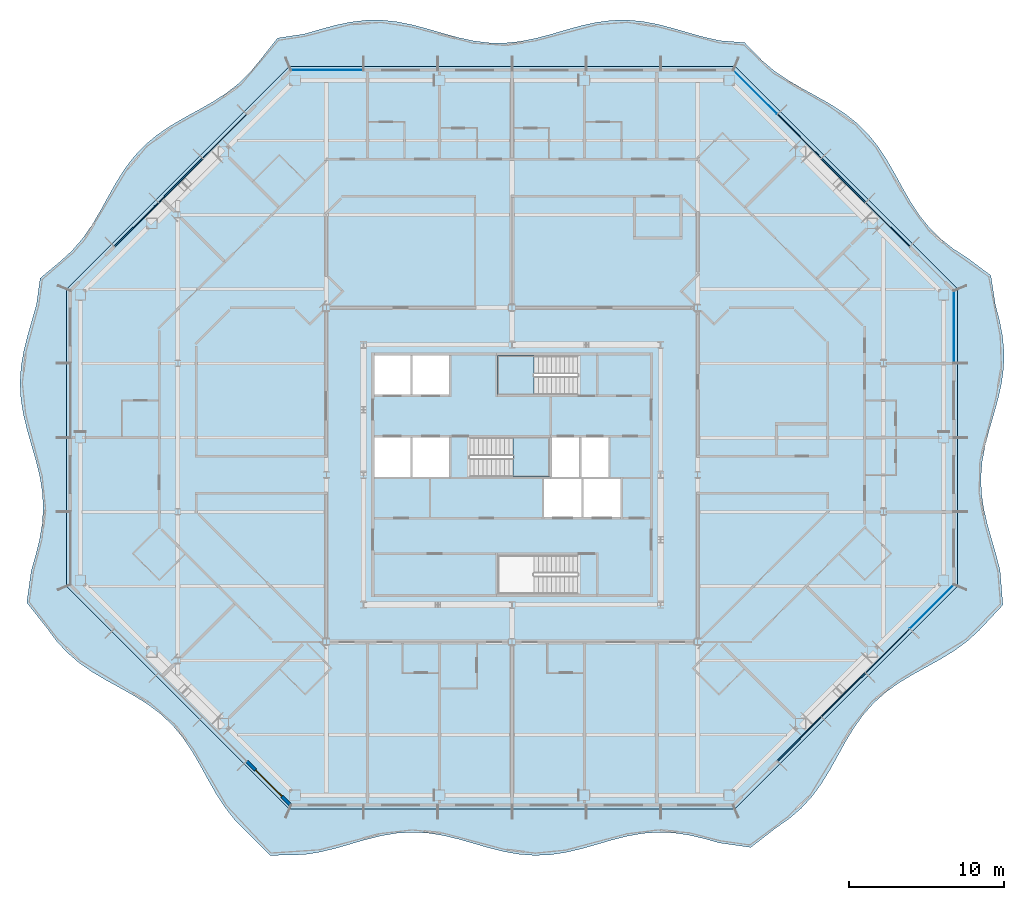
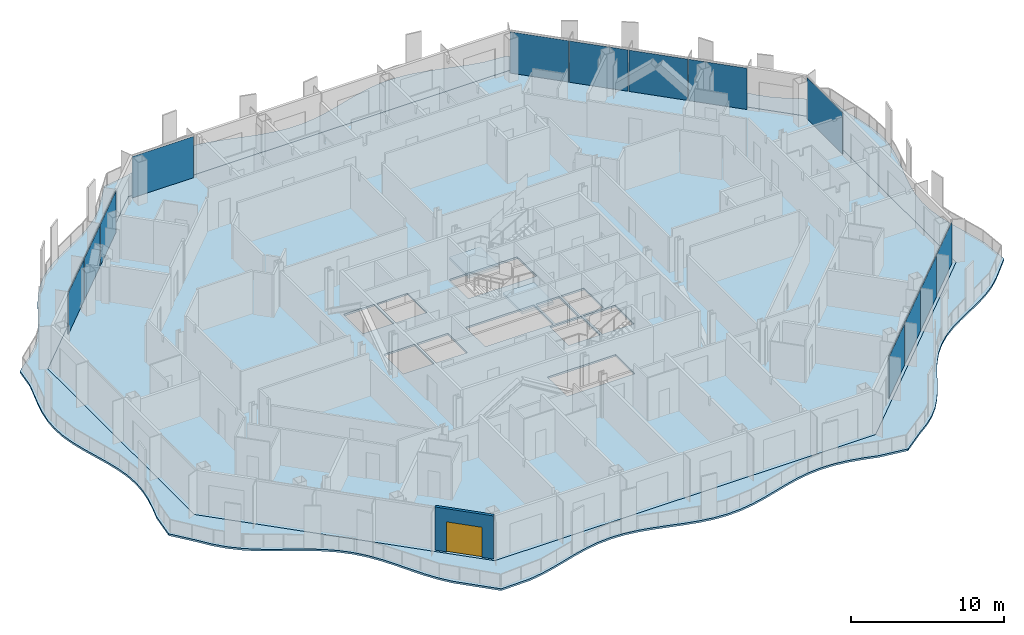
# One storey, part 6 of 21: 13 plates, 4 slabs, 1 door, 1 wall, 1 opening, 7 elements without a shape of their own.
"""IFC4 building model written with IfcOpenShell, lengths in metres."""

from ifc_helpers import new_model, si_unit, direction, frame, frame_2d, origin, origin_2d, place, context, subcontext, project, spatial, polyline, rectangle, outline, extrude, material, layer, layer_set, type_object, element, fill, aggregate, save


model = new_model("IFC4")

# Units and contexts
model_context = context("Model", 3, precision=1e-05, world=origin(), true_north=direction((0.0, 1.0)))
body_context = subcontext(model_context, "Body", "Model", "MODEL_VIEW")
ifc_project = project(units=[si_unit("LENGTHUNIT", "METRE"), si_unit("AREAUNIT", "SQUARE_METRE"), si_unit("VOLUMEUNIT", "CUBIC_METRE"), si_unit("PLANEANGLEUNIT", "RADIAN"), si_unit("MASSUNIT", "GRAM", prefix="KILO")], contexts=[model_context])

# Site, building, storey
site_placement = place(None, origin())
site = spatial("IfcSite", under=ifc_project, at=site_placement, CompositionType="ELEMENT")
building_placement = place(site_placement, origin())
building = spatial("IfcBuilding", under=site, at=building_placement, Name="Cairn Pilgrim Tower", CompositionType="ELEMENT")
storey_placement = place(building_placement, frame((0.0, 0.0, 139.800048828125)))
storey = spatial("IfcBuildingStorey", under=building, at=storey_placement, Name="L34", CompositionType="ELEMENT", Elevation=139.800048828125)

# Slabs
ifc_material_1 = material(Name="Concrete C35/45", Category="concrete")
ifc_layer_1 = layer(ifc_material_1, 0.14990234375)
ifc_layer_set_1 = layer_set([ifc_layer_1], Name="BALCONY SLAB 150 CONCRETE C35/45")
slab_type_1 = type_object("IfcSlabType", Name="BALCONY SLAB 150 CONCRETE C35/45", PredefinedType="FLOOR", material=ifc_layer_set_1)
slab_1_placement = place(storey_placement, frame((0.0, 0.0, -0.150146484375)))
element("IfcSlab", 1, at=slab_1_placement, inside=storey, type_object=slab_type_1, Name="Balcony slab BS-1", PredefinedType="FLOOR", context=body_context, shape_type="SweptSolid", body=[
    extrude(outline(polyline([(-10.033447265625, -20.593505859375), (-8.442626953125, -22.199951171875), (-6.206787109375, -22.143798828125), (-5.2138671875, -21.983154296875), (-4.220703125, -21.74267578125), (-3.2275390625, -21.4580078125), (-2.234375, -21.17236328125), (-1.241455078125, -20.928466796875), (-0.248291015625, -20.7626953125), (0.744873046875, -20.7001953125), (1.738037109375, -20.750244140625), (2.73095703125, -20.905517578125), (3.72412109375, -21.142578125), (4.71728515625, -21.425537109375), (5.71044921875, -21.71240234375), (6.703369140625, -21.9599609375), (7.696533203125, -22.130615234375), (8.689697265625, -22.19921875), (9.682861328125, -22.1552734375), (10.67578125, -22.005615234375), (11.6689453125, -21.772216796875), (12.662109375, -21.49072265625), (13.6552734375, -21.202880859375), (14.648193359375, -20.9521484375), (15.641357421875, -20.7763671875), (16.634521484375, -20.70166015625), (17.627685546875, -20.7392578125), (18.62060546875, -20.8837890625), (19.61376953125, -21.113037109375), (20.60693359375, -21.39306640625), (22.6279296875, -21.681884765625), (24.25830078125, -20.418212890625), (25.10693359375, -19.826904296875), (25.88037109375, -19.160400390625), (26.570556640625, -18.410400390625), (27.181640625, -17.581787109375), (27.731201171875, -16.691162109375), (28.24609375, -15.76611328125), (28.758544921875, -14.838623046875), (29.30126953125, -13.94140625), (29.90234375, -13.1025390625), (30.58056640625, -12.340576171875), (31.342529296875, -11.66259765625), (32.181396484375, -11.0615234375), (33.07861328125, -10.518798828125), (34.00634765625, -10.00634765625), (34.931396484375, -9.491455078125), (35.82177734375, -8.94189453125), (36.650634765625, -8.33056640625), (37.400390625, -7.640380859375), (38.9228515625, -6.0107421875), (38.74267578125, -3.78955078125), (38.48583984375, -2.779052734375), (38.192138671875, -1.768310546875), (37.90771484375, -0.7578125), (37.676513671875, 0.252685546875), (37.5341796875, 1.26318359375), (37.503173828125, 2.273681640625), (37.58837890625, 3.2841796875), (37.7763671875, 4.294677734375), (38.037841796875, 5.30517578125), (38.33251953125, 6.315673828125), (38.6142578125, 7.326416015625), (38.83935546875, 8.3369140625), (38.972900390625, 9.347412109375), (38.993896484375, 10.35791015625), (38.899658203125, 11.368408203125), (38.7041015625, 12.37890625), (38.438232421875, 13.389404296875), (38.14306640625, 15.28759765625), (36.596923828125, 16.43701171875), (35.721923828125, 17.001708984375), (34.914306640625, 17.63427734375), (34.1884765625, 18.348388671875), (33.544921875, 19.14501953125), (32.971923828125, 20.011962890625), (32.446044921875, 20.926025390625), (31.9365234375, 21.856689453125), (31.41064453125, 22.7705078125), (30.83740234375, 23.63720703125), (30.193603515625, 24.43359375), (29.467529296875, 25.1474609375), (28.659912109375, 25.77978515625), (27.784423828125, 26.344482421875), (26.8662109375, 26.8662109375), (25.935791015625, 27.375732421875), (25.02685546875, 27.90673828125), (24.1689453125, 28.489013671875), (23.384033203125, 29.14404296875), (22.23388671875, 30.33056640625), (20.60693359375, 30.465087890625), (19.61376953125, 30.6875), (18.62060546875, 30.96435546875), (17.627685546875, 31.254150390625), (16.634521484375, 31.51318359375), (15.641357421875, 31.70263671875), (14.648193359375, 31.794189453125), (13.6552734375, 31.77392578125), (12.662109375, 31.64501953125), (11.6689453125, 31.426513671875), (10.67578125, 31.15185546875), (9.682861328125, 30.861572265625), (8.689697265625, 30.599853515625), (7.696533203125, 30.405517578125), (6.703369140625, 30.30810546875), (5.71044921875, 30.322021484375), (4.71728515625, 30.4453125), (3.72412109375, 30.659423828125), (2.73095703125, 30.93212890625), (1.738037109375, 31.22265625), (0.744873046875, 31.487060546875), (-0.248291015625, 31.68603515625), (-1.241455078125, 31.789306640625), (-2.234375, 31.78173828125), (-3.2275390625, 31.6640625), (-4.220703125, 31.454345703125), (-5.2138671875, 31.183837890625), (-6.206787109375, 30.893310546875), (-7.95654296875, 30.626220703125), (-9.064697265625, 29.224609375), (-9.708251953125, 28.428466796875), (-10.4345703125, 27.714599609375), (-11.2421875, 27.082275390625), (-12.117431640625, 26.517578125), (-13.035888671875, 25.99609375), (-13.96630859375, 25.486328125), (-14.875244140625, 24.955322265625), (-15.733154296875, 24.373046875), (-16.517822265625, 23.718017578125), (-17.2197265625, 22.979736328125), (-17.841064453125, 22.1611328125), (-18.39794921875, 21.278076171875), (-18.915771484375, 20.355712890625), (-19.426513671875, 19.426513671875), (-19.963134765625, 18.523193359375), (-20.5546875, 17.6748046875), (-21.221435546875, 16.901611328125), (-21.9716796875, 16.211669921875), (-23.298095703125, 15.103271484375), (-23.537109375, 13.389404296875), (-23.824951171875, 12.37890625), (-24.11669921875, 11.368408203125), (-24.366943359375, 10.35791015625), (-24.536865234375, 9.347412109375), (-24.599853515625, 8.3369140625), (-24.54638671875, 7.326416015625), (-24.384765625, 6.315673828125), (-24.14013671875, 5.30517578125), (-23.85009765625, 4.294677734375), (-23.560302734375, 3.2841796875), (-23.3154296875, 2.273681640625), (-23.153564453125, 1.26318359375), (-23.10009765625, 0.252685546875), (-23.1630859375, -0.7578125), (-23.332763671875, -1.768310546875), (-23.5830078125, -2.779052734375), (-23.87451171875, -3.78955078125), (-24.162353515625, -5.861328125), (-22.862060546875, -7.502197265625), (-22.250732421875, -8.330810546875), (-21.560302734375, -9.080322265625), (-20.78662109375, -9.74658203125), (-19.937744140625, -10.337646484375), (-19.0341796875, -10.874267578125), (-18.10498046875, -11.384765625), (-17.182861328125, -11.90283203125), (-16.300048828125, -12.4599609375), (-15.48193359375, -13.08203125), (-14.744140625, -13.7841796875), (-14.089599609375, -14.569580078125), (-13.5078125, -15.427734375), (-12.97705078125, -16.3369140625), (-12.46728515625, -17.267333984375), (-11.945556640625, -18.185546875), (-11.380615234375, -19.060546875), (-10.747802734375, -19.86767578125), (-10.033447265625, -20.593505859375)]), holes=[polyline([(21.60009765625, -19.199951171875), (-7.199951171875, -19.199951171875), (-21.60009765625, -4.800048828125), (-21.60009765625, 14.39990234375), (-7.199951171875, 28.800048828125), (21.60009765625, 28.800048828125), (36.0, 14.39990234375), (36.0, -4.800048828125), (21.60009765625, -19.199951171875)])]), origin(), (0.0, 0.0, 1.0), 0.150146484375),
])
ifc_layer_2 = layer(ifc_material_1, 0.14990234375)
ifc_layer_set_2 = layer_set([ifc_layer_2], Name="COMPOSITE FLOOR SLAB 150")
slab_type_2 = type_object("IfcSlabType", Name="COMPOSITE FLOOR SLAB 150", PredefinedType="FLOOR", material=ifc_layer_set_2)
slab_2_placement = place(storey_placement, frame((0.0, 0.0, -0.150146484375)))
element("IfcSlab", 2, at=slab_2_placement, inside=storey, type_object=slab_type_2, Name="FLOOR SLAB L34", PredefinedType="FLOOR", context=body_context, shape_type="SweptSolid", body=[
    extrude(outline(polyline([(-7.199951171875, -19.199951171875), (21.60009765625, -19.199951171875), (36.0, -4.800048828125), (36.0, 14.39990234375), (21.60009765625, 28.800048828125), (-7.199951171875, 28.800048828125), (-21.60009765625, 14.39990234375), (-21.60009765625, -4.800048828125), (-7.199951171875, -19.199951171875)]), holes=[polyline([(9.27490234375, -0.324951171875), (11.675048828125, -0.324951171875), (11.675048828125, 2.125), (9.27490234375, 2.125), (9.27490234375, -0.324951171875)]), polyline([(11.824951171875, -0.324951171875), (14.22509765625, -0.324951171875), (14.22509765625, 2.125), (11.824951171875, 2.125), (11.824951171875, -0.324951171875)]), polyline([(-1.72509765625, 2.27490234375), (0.625, 2.27490234375), (0.625, 4.824951171875), (-1.72509765625, 4.824951171875), (-1.72509765625, 2.27490234375)]), polyline([(0.77490234375, 2.27490234375), (3.125, 2.27490234375), (3.125, 4.824951171875), (0.77490234375, 4.824951171875), (0.77490234375, 2.27490234375)]), polyline([(-1.72509765625, 7.574951171875), (0.625, 7.574951171875), (0.625, 10.10009765625), (-1.72509765625, 10.10009765625), (-1.72509765625, 7.574951171875)]), polyline([(0.77490234375, 7.574951171875), (3.125, 7.574951171875), (3.125, 10.10009765625), (0.77490234375, 10.10009765625), (0.77490234375, 7.574951171875)]), polyline([(9.77490234375, 2.27490234375), (11.52490234375, 2.27490234375), (11.52490234375, 4.824951171875), (9.77490234375, 4.824951171875), (9.77490234375, 2.27490234375)]), polyline([(11.675048828125, 2.27490234375), (13.425048828125, 2.27490234375), (13.425048828125, 4.824951171875), (11.675048828125, 4.824951171875), (11.675048828125, 2.27490234375)]), polyline([(11.424560546875, -2.77490234375), (6.27490234375, -2.77490234375), (6.27490234375, -5.300048828125), (11.424560546875, -5.300048828125), (11.424560546875, -2.77490234375)]), polyline([(4.4755859375, 2.27490234375), (9.625, 2.27490234375), (9.625, 4.824951171875), (4.4755859375, 4.824951171875), (4.4755859375, 2.27490234375)]), polyline([(11.424560546875, 10.10009765625), (6.27490234375, 10.10009765625), (6.27490234375, 7.574951171875), (11.424560546875, 7.574951171875), (11.424560546875, 10.10009765625)])]), origin(), (0.0, 0.0, 1.0), 0.150146484375),
])

# Curtain wall, plates
ifc_material_2 = material(Name="Aluminium alloy 6063-T6 bronze anodised with Bronze tinted laminated low-E glass 8+16+8.8", Category="aluminium")
curtain_wall_type_1 = type_object("IfcCurtainWallType", Name="CHAMFER CORNER CURTAIN WALL", PredefinedType="NOTDEFINED", material=ifc_material_2)
curtain_wall_1_placement = place(storey_placement, origin())
curtain_wall_1 = element("IfcCurtainWall", 3, at=curtain_wall_1_placement, inside=storey, type_object=curtain_wall_type_1, Name="Chamfer Corner Curtain Wall SE", PredefinedType="NOTDEFINED")
ifc_material_3 = material(Name="Bronze anodised aluminium spandrel panel with mineral wool insulation", Category="aluminium")
ifc_layer_3 = layer(ifc_material_3, 0.06005859375)
ifc_layer_set_3 = layer_set([ifc_layer_3], Name="SPANDREL PANEL 3972x3300")
plate_type_1 = type_object("IfcPlateType", Name="SPANDREL PANEL 3972x3300", PredefinedType="CURTAIN_PANEL", material=ifc_layer_set_3)
plate_1_placement = place(storey_placement, frame((25.7724609375, -14.673828125, 0.0), z_axis=(0.0, 0.0, 1.0), x_axis=(0.707106781187, 0.707106781187, 0.0)))
plate_1 = element("IfcPlate", 4, at=plate_1_placement, type_object=plate_type_1, Name="Spandrel Panel SE2-1", PredefinedType="CURTAIN_PANEL", context=body_context, shape_type="SweptSolid", body=[
    extrude(rectangle(XDim=3.971435546875, YDim=0.06005859375, at=origin_2d()), origin(), (0.0, 0.0, 1.0), 3.300048828125),
])
plate_2_placement = place(storey_placement, frame((28.623291015625, -11.8232421875, 0.0), z_axis=(0.0, 0.0, 1.0), x_axis=(0.707106781187, 0.707106781187, 0.0)))
plate_2 = element("IfcPlate", 5, at=plate_2_placement, type_object=plate_type_1, Name="Spandrel Panel SE3-1", PredefinedType="CURTAIN_PANEL", context=body_context, shape_type="SweptSolid", body=[
    extrude(rectangle(XDim=3.971435546875, YDim=0.06005859375, at=origin_2d()), origin(), (0.0, 0.0, 1.0), 3.300048828125),
])
plate_3_placement = place(storey_placement, frame((31.473876953125, -8.972412109375, 0.0), z_axis=(0.0, 0.0, 1.0), x_axis=(0.707106781187, 0.707106781187, 0.0)))
plate_3 = element("IfcPlate", 6, at=plate_3_placement, type_object=plate_type_1, Name="Spandrel Panel SE4-1", PredefinedType="CURTAIN_PANEL", context=body_context, shape_type="SweptSolid", body=[
    extrude(rectangle(XDim=3.971435546875, YDim=0.06005859375, at=origin_2d()), origin(), (0.0, 0.0, 1.0), 3.300048828125),
])

curtain_wall_2_placement = place(storey_placement, origin())
curtain_wall_2 = element("IfcCurtainWall", 7, at=curtain_wall_2_placement, inside=storey, type_object=curtain_wall_type_1, Name="Chamfer Corner Curtain Wall NE", PredefinedType="NOTDEFINED")
plate_4_placement = place(storey_placement, frame((31.473876953125, 18.572509765625, 0.0), z_axis=(0.0, 0.0, 1.0), x_axis=(-0.707106781187, 0.707106781187, 0.0)))
plate_4 = element("IfcPlate", 8, at=plate_4_placement, type_object=plate_type_1, Name="Spandrel Panel NE2-1", PredefinedType="CURTAIN_PANEL", context=body_context, shape_type="SweptSolid", body=[
    extrude(rectangle(XDim=3.971435546875, YDim=0.06005859375, at=origin_2d()), origin(), (0.0, 0.0, 1.0), 3.300048828125),
])
plate_5_placement = place(storey_placement, frame((28.623291015625, 21.42333984375, 0.0), z_axis=(0.0, 0.0, 1.0), x_axis=(-0.707106781187, 0.707106781187, 0.0)))
plate_5 = element("IfcPlate", 9, at=plate_5_placement, type_object=plate_type_1, Name="Spandrel Panel NE3-1", PredefinedType="CURTAIN_PANEL", context=body_context, shape_type="SweptSolid", body=[
    extrude(rectangle(XDim=3.971435546875, YDim=0.06005859375, at=origin_2d()), origin(), (0.0, 0.0, 1.0), 3.300048828125),
])
plate_6_placement = place(storey_placement, frame((25.7724609375, 24.27392578125, 0.0), z_axis=(0.0, 0.0, 1.0), x_axis=(-0.707106781187, 0.707106781187, 0.0)))
plate_6 = element("IfcPlate", 10, at=plate_6_placement, type_object=plate_type_1, Name="Spandrel Panel NE4-1", PredefinedType="CURTAIN_PANEL", context=body_context, shape_type="SweptSolid", body=[
    extrude(rectangle(XDim=3.971435546875, YDim=0.06005859375, at=origin_2d()), origin(), (0.0, 0.0, 1.0), 3.300048828125),
])

curtain_wall_3_placement = place(storey_placement, origin())
curtain_wall_3 = element("IfcCurtainWall", 11, at=curtain_wall_3_placement, inside=storey, type_object=curtain_wall_type_1, Name="Chamfer Corner Curtain Wall NW", PredefinedType="NOTDEFINED")
plate_7_placement = place(storey_placement, frame((-11.37255859375, 24.27392578125, 0.0), z_axis=(0.0, 0.0, 1.0), x_axis=(-0.707106781187, -0.707106781187, 0.0)))
plate_7 = element("IfcPlate", 12, at=plate_7_placement, type_object=plate_type_1, Name="Spandrel Panel NW2-1", PredefinedType="CURTAIN_PANEL", context=body_context, shape_type="SweptSolid", body=[
    extrude(rectangle(XDim=3.971435546875, YDim=0.06005859375, at=origin_2d()), origin(), (0.0, 0.0, 1.0), 3.300048828125),
])
plate_8_placement = place(storey_placement, frame((-14.22314453125, 21.42333984375, 0.0), z_axis=(0.0, 0.0, 1.0), x_axis=(-0.707106781187, -0.707106781187, 0.0)))
plate_8 = element("IfcPlate", 13, at=plate_8_placement, type_object=plate_type_1, Name="Spandrel Panel NW3-1", PredefinedType="CURTAIN_PANEL", context=body_context, shape_type="SweptSolid", body=[
    extrude(rectangle(XDim=3.971435546875, YDim=0.06005859375, at=origin_2d()), origin(), (0.0, 0.0, 1.0), 3.300048828125),
])
plate_9_placement = place(storey_placement, frame((-17.073974609375, 18.572509765625, 0.0), z_axis=(0.0, 0.0, 1.0), x_axis=(-0.707106781187, -0.707106781187, 0.0)))
plate_9 = element("IfcPlate", 14, at=plate_9_placement, type_object=plate_type_1, Name="Spandrel Panel NW4-1", PredefinedType="CURTAIN_PANEL", context=body_context, shape_type="SweptSolid", body=[
    extrude(rectangle(XDim=3.971435546875, YDim=0.06005859375, at=origin_2d()), origin(), (0.0, 0.0, 1.0), 3.300048828125),
])
aggregate(curtain_wall_3, [plate_7, plate_8, plate_9])

# Stair, slab
ifc_material_4 = material(Name="Concrete C32/40", Category="concrete")
stair_type = type_object("IfcStairType", Name="EXIT STAIR 1200", PredefinedType="HALF_TURN_STAIR", material=ifc_material_4)
stair_1_placement = place(storey_placement, origin())
stair_1 = element("IfcStair", 15, at=stair_1_placement, inside=storey, type_object=stair_type, Name="L34 Exit Stair B", PredefinedType="HALF_TURN_STAIR")
ifc_layer_4 = layer(ifc_material_4, 0.199951171875)
ifc_layer_set_4 = layer_set([ifc_layer_4], Name="STAIR LANDING 200")
slab_type_3 = type_object("IfcSlabType", Name="STAIR LANDING 200", PredefinedType="LANDING", material=ifc_layer_set_4)
slab_3_placement = place(storey_placement, frame((0.0, 0.0, 1.599853515625)))
slab_3 = element("IfcSlab", 16, at=slab_3_placement, type_object=slab_type_3, Name="ST-B landing 1", PredefinedType="LANDING", context=body_context, shape_type="SweptSolid", body=[
    extrude(outline(polyline([(7.27490234375, 2.27490234375), (9.625, 2.27490234375), (9.625, 4.824951171875), (7.27490234375, 4.824951171875), (7.27490234375, 2.27490234375)])), origin(), (0.0, 0.0, 1.0), 0.2001953125),
])
aggregate(stair_1, [slab_3])

stair_2_placement = place(storey_placement, origin())
stair_2 = element("IfcStair", 17, at=stair_2_placement, inside=storey, type_object=stair_type, Name="L34 Exit Stair C", PredefinedType="HALF_TURN_STAIR")
slab_4_placement = place(storey_placement, frame((0.0, 0.0, 1.599853515625)))
slab_4 = element("IfcSlab", 18, at=slab_4_placement, type_object=slab_type_3, Name="ST-C landing 1", PredefinedType="LANDING", context=body_context, shape_type="SweptSolid", body=[
    extrude(outline(polyline([(8.625, 10.10009765625), (6.27490234375, 10.10009765625), (6.27490234375, 7.574951171875), (8.625, 7.574951171875), (8.625, 10.10009765625)])), origin(), (0.0, 0.0, 1.0), 0.2001953125),
])
aggregate(stair_2, [slab_4])

# Plate
ifc_material_5 = material(Name="Bronze tinted laminated low-E glass 8+16+8.8", Category="glass")
ifc_layer_5 = layer(ifc_material_5, 0.033935546875)
ifc_layer_set_5 = layer_set([ifc_layer_5], Name="VISION GLAZING 3962x3300")
plate_type_2 = type_object("IfcPlateType", Name="VISION GLAZING 3962x3300", PredefinedType="CURTAIN_PANEL", material=ifc_layer_set_5)
plate_10_placement = place(storey_placement, frame((34.321044921875, -6.125244140625, 0.0), z_axis=(0.0, 0.0, 1.0), x_axis=(0.707106781187, 0.707106781187, 0.0)))
plate_10 = element("IfcPlate", 19, at=plate_10_placement, type_object=plate_type_2, Name="Vision Glazing SE5-1", PredefinedType="CURTAIN_PANEL", context=body_context, shape_type="SweptSolid", body=[
    extrude(rectangle(XDim=3.96142578125, YDim=0.033935546875, at=origin_2d()), origin(), (0.0, 0.0, 1.0), 3.300048828125),
])

aggregate(curtain_wall_1, [plate_1, plate_2, plate_3, plate_10])

plate_11_placement = place(storey_placement, frame((22.92529296875, 27.12109375, 0.0), z_axis=(0.0, 0.0, 1.0), x_axis=(-0.707106781187, 0.707106781187, 0.0)))
plate_11 = element("IfcPlate", 20, at=plate_11_placement, type_object=plate_type_2, Name="Vision Glazing NE5-1", PredefinedType="CURTAIN_PANEL", context=body_context, shape_type="SweptSolid", body=[
    extrude(rectangle(XDim=3.96142578125, YDim=0.033935546875, at=origin_2d()), origin(), (0.0, 0.0, 1.0), 3.300048828125),
])

aggregate(curtain_wall_2, [plate_4, plate_5, plate_6, plate_11])

# Curtain wall, plate
curtain_wall_type_2 = type_object("IfcCurtainWallType", Name="TOWER STICK CURTAIN WALL EW", PredefinedType="NOTDEFINED", material=ifc_material_2)
curtain_wall_4_placement = place(storey_placement, origin())
curtain_wall_4 = element("IfcCurtainWall", 21, at=curtain_wall_4_placement, inside=storey, type_object=curtain_wall_type_2, Name="Tower Stick Curtain Wall Ew E", PredefinedType="NOTDEFINED")
ifc_layer_6 = layer(ifc_material_5, 0.033935546875)
ifc_layer_set_6 = layer_set([ifc_layer_6], Name="VISION GLAZING 4626x3300")
plate_type_3 = type_object("IfcPlateType", Name="VISION GLAZING 4626x3300", PredefinedType="CURTAIN_PANEL", material=ifc_layer_set_6)
plate_12_placement = place(storey_placement, frame((35.75, 11.943115234375, 0.0), z_axis=(0.0, 0.0, 1.0), x_axis=(0.0, 1.0, 0.0)))
plate_12 = element("IfcPlate", 22, at=plate_12_placement, type_object=plate_type_3, Name="Vision Glazing E4-1", PredefinedType="CURTAIN_PANEL", context=body_context, shape_type="SweptSolid", body=[
    extrude(rectangle(XDim=4.62646484375, YDim=0.033935546875, at=origin_2d()), origin(), (0.0, 0.0, 1.0), 3.300048828125),
])
aggregate(curtain_wall_4, [plate_12])

curtain_wall_type_3 = type_object("IfcCurtainWallType", Name="TOWER STICK CURTAIN WALL NS", PredefinedType="NOTDEFINED", material=ifc_material_2)
curtain_wall_5_placement = place(storey_placement, origin())
curtain_wall_5 = element("IfcCurtainWall", 23, at=curtain_wall_5_placement, inside=storey, type_object=curtain_wall_type_3, Name="Tower Stick Curtain Wall Ns N", PredefinedType="NOTDEFINED")
plate_13_placement = place(storey_placement, frame((-4.7431640625, 28.550048828125, 0.0), z_axis=(0.0, 0.0, 1.0), x_axis=(-1.0, 0.0, 0.0)))
plate_13 = element("IfcPlate", 24, at=plate_13_placement, type_object=plate_type_3, Name="Vision Glazing N6-1", PredefinedType="CURTAIN_PANEL", context=body_context, shape_type="SweptSolid", body=[
    extrude(rectangle(XDim=4.62646484375, YDim=0.033935546875, at=origin_2d()), origin(), (0.0, 0.0, 1.0), 3.300048828125),
])
aggregate(curtain_wall_5, [plate_13])

# Wall, opening, door
ifc_material_6 = material(Name="Bronze anodised aluminium insulated sandwich panel with mineral wool fill", Category="aluminium")
ifc_layer_7 = layer(ifc_material_6, 0.199951171875)
ifc_layer_set_7 = layer_set([ifc_layer_7], Name="BRONZE INFILL FRAME WALL 200")
wall_type = type_object("IfcWallType", Name="BRONZE INFILL FRAME WALL 200", PredefinedType="NOTDEFINED", material=ifc_layer_set_7)
wall_placement = place(storey_placement, frame((-9.926025390625, -16.12060546875, 0.0), z_axis=(0.0, 0.0, 1.0), x_axis=(0.707137595296, -0.707075965734, 0.0)))
wall = element("IfcWall", 25, at=wall_placement, inside=storey, type_object=wall_type, Name="Bronze infill frame wall IW-SW5", PredefinedType="NOTDEFINED", context=body_context, shape_type="SweptSolid", body=[
    extrude(rectangle(XDim=3.96142578125, YDim=0.199951171875, at=frame_2d((1.980712890625, 0.0))), origin(), (0.0, 0.0, 1.0), 3.449951171875),
])
opening_placement = place(wall_placement, frame((0.78564453125, 0.0, 0.0)))
opening = element("IfcOpeningElement", 26, at=opening_placement, cuts=wall, Name="Opening 3420B2", PredefinedType="OPENING", context=body_context, shape_type="SweptSolid", body=[
    extrude(rectangle(XDim=2.39990234375, YDim=2.39990234375, at=frame_2d((1.199951171875, 1.199951171875))), frame((0.0, 0.10986328125, 0.0), z_axis=(0.0, -1.0, 0.0), x_axis=(1.0, 0.0, 0.0)), (0.0, 0.0, 1.0), 0.219970703125),
])
ifc_material_7 = material(Name="Bronze anodised aluminium frame with tinted low-E glass", Category="aluminium")
door_type = type_object("IfcDoorType", Name="BALCONY SLIDING DOOR 2400x2400", OperationType="DOUBLE_DOOR_SLIDING", PredefinedType="DOOR", material=ifc_material_7)
door_placement = place(opening_placement, origin())
door = element("IfcDoor", 27, at=door_placement, inside=storey, type_object=door_type, Name="Balcony sliding door 3420B2", OperationType="SINGLE_SWING_LEFT", OverallHeight=2.39990234375, OverallWidth=2.39990234375, PredefinedType="DOOR", context=body_context, shape_type="SweptSolid", body=[
    extrude(rectangle(XDim=2.39990234375, YDim=2.39990234375, at=frame_2d((1.199951171875, 1.199951171875))), frame((0.0, 0.02490234375, 0.0), z_axis=(0.0, -1.0, 0.0), x_axis=(1.0, 0.0, 0.0)), (0.0, 0.0, 1.0), 0.050048828125),
])
fill(opening, door)

save(model, "model.ifc")
